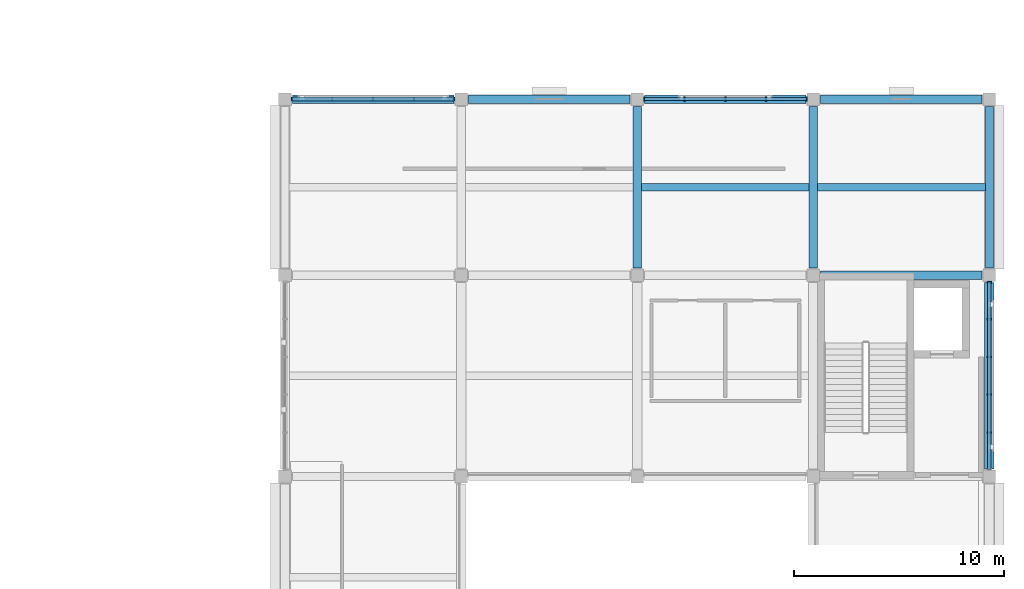
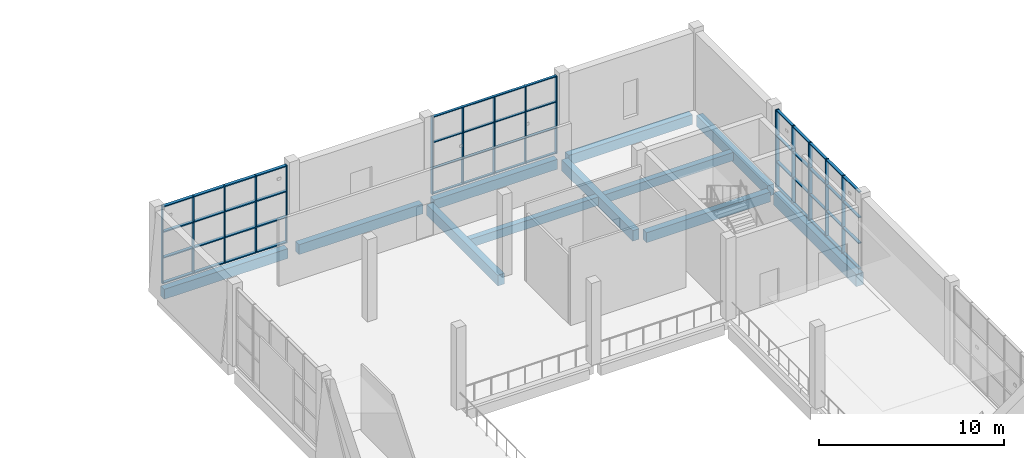
# One storey, part 26 of 57: 27 members, 11 beams, 3 elements without a shape of their own.
"""IFC4 building model written with IfcOpenShell, lengths in metres."""

from ifc_helpers import new_model, si_unit, direction, frame, origin, origin_2d, place, context, subcontext, project, spatial, rectangle, extrude, material, material_profile, profile_set, type_object, element, aggregate, save


model = new_model("IFC4")

# Units and contexts
model_context = context("Model", 3, precision=1e-05, world=origin(), true_north=direction((0.0, 1.0)))
body_context = subcontext(model_context, "Body", "Model", "MODEL_VIEW")
ifc_project = project(units=[si_unit("LENGTHUNIT", "METRE"), si_unit("AREAUNIT", "SQUARE_METRE"), si_unit("VOLUMEUNIT", "CUBIC_METRE"), si_unit("PLANEANGLEUNIT", "RADIAN"), si_unit("MASSUNIT", "GRAM", prefix="KILO")], contexts=[model_context])

# Site, building, storey
site_placement = place(None, origin())
site = spatial("IfcSite", under=ifc_project, at=site_placement, CompositionType="ELEMENT")
building_placement = place(site_placement, origin())
building = spatial("IfcBuilding", under=site, at=building_placement, Name="Shalvenor Court Art Gallery", CompositionType="ELEMENT")
storey_placement = place(building_placement, frame((0.0, 0.0, 16.800048828125)))
storey = spatial("IfcBuildingStorey", under=building, at=storey_placement, Name="L03", CompositionType="ELEMENT", Elevation=16.800048828125)

# Beams
ifc_material_1 = material(Name="Concrete C40/50", Category="concrete")
ifc_material_profile_1 = material_profile(ifc_material_1, rectangle(XDim=0.449951171875, YDim=0.800048828125, at=origin_2d()), Name="RC 450x800")
ifc_profile_set_1 = profile_set([ifc_material_profile_1], Name="Concrete C40/50")
beam_type_1 = type_object("IfcBeamType", Name="B-03", PredefinedType="BEAM", material=ifc_profile_set_1)
beam_1_placement = place(storey_placement, frame((176.39990234375, 79.550048828125, -0.699951171875), z_axis=(0.0, 1.0, 0.0), x_axis=(-1.0, 0.0, 0.0)))
element("IfcBeam", 1, at=beam_1_placement, inside=storey, type_object=beam_type_1, Name="L03 Girder BM-L03-B-03-1038", PredefinedType="BEAM", context=body_context, shape_type="SweptSolid", body=[
    extrude(rectangle(XDim=0.449951171875, YDim=0.800048828125, at=origin_2d()), origin(), (0.0, 0.0, 1.0), 8.89990234375),
])
ifc_material_2 = material(Name="Concrete C40/50", Category="concrete")
ifc_material_profile_2 = material_profile(ifc_material_2, rectangle(XDim=0.39990234375, YDim=0.699951171875, at=origin_2d()), Name="RC 400x700")
ifc_profile_set_2 = profile_set([ifc_material_profile_2], Name="Concrete C40/50")
beam_type_2 = type_object("IfcBeamType", Name="B-05", PredefinedType="BEAM", material=ifc_profile_set_2)
for number, where, z_axis, x_axis, name in (
    (2, (159.60009765625, 89.14990234375, -0.650146484375), (0.0, 1.0, 0.0), (-1.0, 0.0, 0.0), "L03 Girder BM-L03-B-05-1027"),
    (3, (168.0, 89.14990234375, -0.650146484375), (0.0, 1.0, 0.0), (-1.0, 0.0, 0.0), "L03 Girder BM-L03-B-05-1033"),
    (4, (176.39990234375, 89.14990234375, -0.650146484375), (0.0, 1.0, 0.0), (-1.0, 0.0, 0.0), "L03 Girder BM-L03-B-05-1039"),
):
    element("IfcBeam", number, at=place(storey_placement, frame(where, z_axis=z_axis, x_axis=x_axis)), inside=storey, type_object=beam_type_2, Name=name, PredefinedType="BEAM", context=body_context, shape_type="SweptSolid", body=[
        extrude(rectangle(XDim=0.39990234375, YDim=0.699951171875, at=origin_2d()), origin(), (0.0, 0.0, 1.0), 7.7001953125),
    ])
ifc_material_3 = material(Name="Concrete C40/50", Category="concrete")
ifc_material_profile_3 = material_profile(ifc_material_3, rectangle(XDim=0.39990234375, YDim=0.64990234375, at=origin_2d()), Name="RC 400x650")
ifc_profile_set_3 = profile_set([ifc_material_profile_3], Name="Concrete C40/50")
beam_type_3 = type_object("IfcBeamType", Name="B-06", PredefinedType="BEAM", material=ifc_profile_set_3)
beam_2_placement = place(storey_placement, frame((168.35009765625, 88.800048828125, -0.625), z_axis=(1.0, 0.0, 0.0), x_axis=(0.0, 1.0, 0.0)))
element("IfcBeam", 5, at=beam_2_placement, inside=storey, type_object=beam_type_3, Name="L03 Girder BM-L03-B-06-1091", PredefinedType="BEAM", context=body_context, shape_type="SweptSolid", body=[
    extrude(rectangle(XDim=0.39990234375, YDim=0.64990234375, at=origin_2d()), origin(), (0.0, 0.0, 1.0), 7.699951171875),
])
beam_3_placement = place(storey_placement, frame((143.14990234375, 97.199951171875, -0.625), z_axis=(1.0, 0.0, 0.0), x_axis=(0.0, 1.0, 0.0)))
element("IfcBeam", 6, at=beam_3_placement, inside=storey, type_object=beam_type_3, Name="L03 Girder BM-L03-B-06-1100", PredefinedType="BEAM", context=body_context, shape_type="SweptSolid", body=[
    extrude(rectangle(XDim=0.39990234375, YDim=0.64990234375, at=origin_2d()), origin(), (0.0, 0.0, 1.0), 7.7001953125),
])
for number, where, z_axis, x_axis, name in (
    (7, (151.550048828125, 97.199951171875, -0.625), (1.0, 0.0, 0.0), (0.0, 1.0, 0.0), "L03 Girder BM-L03-B-06-1101"),
    (8, (159.949951171875, 97.199951171875, -0.625), (1.0, 0.0, 0.0), (0.0, 1.0, 0.0), "L03 Girder BM-L03-B-06-1102"),
    (9, (168.35009765625, 97.199951171875, -0.625), (1.0, 0.0, 0.0), (0.0, 1.0, 0.0), "L03 Girder BM-L03-B-06-1103"),
):
    element("IfcBeam", number, at=place(storey_placement, frame(where, z_axis=z_axis, x_axis=x_axis)), inside=storey, type_object=beam_type_3, Name=name, PredefinedType="BEAM", context=body_context, shape_type="SweptSolid", body=[
        extrude(rectangle(XDim=0.39990234375, YDim=0.64990234375, at=origin_2d()), origin(), (0.0, 0.0, 1.0), 7.699951171875),
    ])

# Curtain wall, members
ifc_material_4 = material(Name="Anodised aluminium and low-iron glass curtain wall", Category="aluminium")
curtain_wall_type_1 = type_object("IfcCurtainWallType", Name="CW-4x3-78-51-142", PredefinedType="USERDEFINED", material=ifc_material_4)
curtain_wall_1_placement = place(storey_placement, origin())
curtain_wall_1 = element("IfcCurtainWall", 10, at=curtain_wall_1_placement, inside=storey, type_object=curtain_wall_type_1, Name="L03 V1 Curtain Wall CW-L03-020", ObjectType="CURTAIN WALL", PredefinedType="USERDEFINED")
ifc_material_5 = material(Name="Anodised aluminium mullion", Category="aluminium")
ifc_material_profile_4 = material_profile(ifc_material_5, rectangle(XDim=0.06494140625, YDim=0.179931640625, at=origin_2d()), Name="CWM-01")
ifc_profile_set_4 = profile_set([ifc_material_profile_4], Name="Anodised aluminium mullion")
member_type_1 = type_object("IfcMemberType", Name="CWM-01", PredefinedType="MULLION", material=ifc_profile_set_4)
member_1_placement = place(storey_placement, frame((143.132568359375, 97.199951171875, 0.0), z_axis=(0.0, 0.0, 1.0), x_axis=(1.0, 0.0, 0.0)))
member_1 = element("IfcMember", 11, at=member_1_placement, type_object=member_type_1, Name="CW-4x3-78-51-142 mullion 1", PredefinedType="MULLION", context=body_context, shape_type="SweptSolid", body=[
    extrude(rectangle(XDim=0.06494140625, YDim=0.179931640625, at=origin_2d()), origin(), (0.0, 0.0, 1.0), 5.099853515625),
])
member_2_placement = place(storey_placement, frame((145.050048828125, 97.199951171875, 0.0), z_axis=(0.0, 0.0, 1.0), x_axis=(1.0, 0.0, 0.0)))
member_2 = element("IfcMember", 12, at=member_2_placement, type_object=member_type_1, Name="CW-4x3-78-51-142 mullion 2", PredefinedType="MULLION", context=body_context, shape_type="SweptSolid", body=[
    extrude(rectangle(XDim=0.06494140625, YDim=0.179931640625, at=origin_2d()), origin(), (0.0, 0.0, 1.0), 5.099853515625),
])
member_3_placement = place(storey_placement, frame((147.0, 97.199951171875, 0.0), z_axis=(0.0, 0.0, 1.0), x_axis=(1.0, 0.0, 0.0)))
member_3 = element("IfcMember", 13, at=member_3_placement, type_object=member_type_1, Name="CW-4x3-78-51-142 mullion 3", PredefinedType="MULLION", context=body_context, shape_type="SweptSolid", body=[
    extrude(rectangle(XDim=0.06494140625, YDim=0.179931640625, at=origin_2d()), origin(), (0.0, 0.0, 1.0), 5.099853515625),
])
member_4_placement = place(storey_placement, frame((148.949951171875, 97.199951171875, 0.0), z_axis=(0.0, 0.0, 1.0), x_axis=(1.0, 0.0, 0.0)))
member_4 = element("IfcMember", 14, at=member_4_placement, type_object=member_type_1, Name="CW-4x3-78-51-142 mullion 4", PredefinedType="MULLION", context=body_context, shape_type="SweptSolid", body=[
    extrude(rectangle(XDim=0.06494140625, YDim=0.179931640625, at=origin_2d()), origin(), (0.0, 0.0, 1.0), 5.099853515625),
])
member_5_placement = place(storey_placement, frame((150.867431640625, 97.199951171875, 0.0), z_axis=(0.0, 0.0, 1.0), x_axis=(1.0, 0.0, 0.0)))
member_5 = element("IfcMember", 15, at=member_5_placement, type_object=member_type_1, Name="CW-4x3-78-51-142 mullion 5", PredefinedType="MULLION", context=body_context, shape_type="SweptSolid", body=[
    extrude(rectangle(XDim=0.06494140625, YDim=0.179931640625, at=origin_2d()), origin(), (0.0, 0.0, 1.0), 5.099853515625),
])

ifc_material_6 = material(Name="Anodised aluminium and low-iron glass curtain wall", Category="aluminium")
curtain_wall_type_2 = type_object("IfcCurtainWallType", Name="CW-4x3-78-51-212", PredefinedType="USERDEFINED", material=ifc_material_6)
curtain_wall_2_placement = place(storey_placement, origin())
curtain_wall_2 = element("IfcCurtainWall", 16, at=curtain_wall_2_placement, inside=storey, type_object=curtain_wall_type_2, Name="L03 V1 Curtain Wall CW-L03-021", ObjectType="CURTAIN WALL", PredefinedType="USERDEFINED")
ifc_material_7 = material(Name="Anodised aluminium mullion", Category="aluminium")
ifc_material_profile_5 = material_profile(ifc_material_7, rectangle(XDim=0.070068359375, YDim=0.199951171875, at=origin_2d()), Name="CWM-02")
ifc_profile_set_5 = profile_set([ifc_material_profile_5], Name="Anodised aluminium mullion")
member_type_2 = type_object("IfcMemberType", Name="CWM-02", PredefinedType="MULLION", material=ifc_profile_set_5)
member_6_placement = place(storey_placement, frame((159.93505859375, 97.199951171875, 0.0), z_axis=(0.0, 0.0, 1.0), x_axis=(1.0, 0.0, 0.0)))
member_6 = element("IfcMember", 17, at=member_6_placement, type_object=member_type_2, Name="CW-4x3-78-51-212 mullion 1", PredefinedType="MULLION", context=body_context, shape_type="SweptSolid", body=[
    extrude(rectangle(XDim=0.070068359375, YDim=0.199951171875, at=origin_2d()), origin(), (0.0, 0.0, 1.0), 5.099853515625),
])
member_7_placement = place(storey_placement, frame((161.85009765625, 97.199951171875, 0.0), z_axis=(0.0, 0.0, 1.0), x_axis=(1.0, 0.0, 0.0)))
member_7 = element("IfcMember", 18, at=member_7_placement, type_object=member_type_2, Name="CW-4x3-78-51-212 mullion 2", PredefinedType="MULLION", context=body_context, shape_type="SweptSolid", body=[
    extrude(rectangle(XDim=0.070068359375, YDim=0.199951171875, at=origin_2d()), origin(), (0.0, 0.0, 1.0), 5.099853515625),
])
member_8_placement = place(storey_placement, frame((163.800048828125, 97.199951171875, 0.0), z_axis=(0.0, 0.0, 1.0), x_axis=(1.0, 0.0, 0.0)))
member_8 = element("IfcMember", 19, at=member_8_placement, type_object=member_type_2, Name="CW-4x3-78-51-212 mullion 3", PredefinedType="MULLION", context=body_context, shape_type="SweptSolid", body=[
    extrude(rectangle(XDim=0.070068359375, YDim=0.199951171875, at=origin_2d()), origin(), (0.0, 0.0, 1.0), 5.099853515625),
])
member_9_placement = place(storey_placement, frame((165.75, 97.199951171875, 0.0), z_axis=(0.0, 0.0, 1.0), x_axis=(1.0, 0.0, 0.0)))
member_9 = element("IfcMember", 20, at=member_9_placement, type_object=member_type_2, Name="CW-4x3-78-51-212 mullion 4", PredefinedType="MULLION", context=body_context, shape_type="SweptSolid", body=[
    extrude(rectangle(XDim=0.070068359375, YDim=0.199951171875, at=origin_2d()), origin(), (0.0, 0.0, 1.0), 5.099853515625),
])
member_10_placement = place(storey_placement, frame((167.6650390625, 97.199951171875, 0.0), z_axis=(0.0, 0.0, 1.0), x_axis=(1.0, 0.0, 0.0)))
member_10 = element("IfcMember", 21, at=member_10_placement, type_object=member_type_2, Name="CW-4x3-78-51-212 mullion 5", PredefinedType="MULLION", context=body_context, shape_type="SweptSolid", body=[
    extrude(rectangle(XDim=0.070068359375, YDim=0.199951171875, at=origin_2d()), origin(), (0.0, 0.0, 1.0), 5.099853515625),
])

ifc_material_8 = material(Name="Anodised aluminium and low-iron glass curtain wall", Category="aluminium")
curtain_wall_type_3 = type_object("IfcCurtainWallType", Name="CW-5x3-90-51-422", PredefinedType="USERDEFINED", material=ifc_material_8)
curtain_wall_3_placement = place(storey_placement, origin())
curtain_wall_3 = element("IfcCurtainWall", 22, at=curtain_wall_3_placement, inside=storey, type_object=curtain_wall_type_3, Name="L03 V1 Curtain Wall CW-L03-022", ObjectType="CURTAIN WALL", PredefinedType="USERDEFINED")
ifc_material_9 = material(Name="Anodised aluminium mullion", Category="aluminium")
ifc_material_profile_6 = material_profile(ifc_material_9, rectangle(XDim=0.074951171875, YDim=0.219970703125, at=origin_2d()), Name="CWM-04")
ifc_profile_set_6 = profile_set([ifc_material_profile_6], Name="Anodised aluminium mullion")
member_type_3 = type_object("IfcMemberType", Name="CWM-04", PredefinedType="MULLION", material=ifc_profile_set_6)
member_11_placement = place(storey_placement, frame((176.39990234375, 88.46240234375, 0.0), z_axis=(0.0, 0.0, 1.0), x_axis=(0.0, -1.0, 0.0)))
member_11 = element("IfcMember", 23, at=member_11_placement, type_object=member_type_3, Name="CW-5x3-90-51-422 mullion 1", PredefinedType="MULLION", context=body_context, shape_type="SweptSolid", body=[
    extrude(rectangle(XDim=0.074951171875, YDim=0.219970703125, at=origin_2d()), origin(), (0.0, 0.0, 1.0), 5.099853515625),
])
member_12_placement = place(storey_placement, frame((176.39990234375, 86.699951171875, 0.0), z_axis=(0.0, 0.0, 1.0), x_axis=(0.0, -1.0, 0.0)))
member_12 = element("IfcMember", 24, at=member_12_placement, type_object=member_type_3, Name="CW-5x3-90-51-422 mullion 2", PredefinedType="MULLION", context=body_context, shape_type="SweptSolid", body=[
    extrude(rectangle(XDim=0.074951171875, YDim=0.219970703125, at=origin_2d()), origin(), (0.0, 0.0, 1.0), 5.099853515625),
])
member_13_placement = place(storey_placement, frame((176.39990234375, 84.89990234375, 0.0), z_axis=(0.0, 0.0, 1.0), x_axis=(0.0, -1.0, 0.0)))
member_13 = element("IfcMember", 25, at=member_13_placement, type_object=member_type_3, Name="CW-5x3-90-51-422 mullion 3", PredefinedType="MULLION", context=body_context, shape_type="SweptSolid", body=[
    extrude(rectangle(XDim=0.074951171875, YDim=0.219970703125, at=origin_2d()), origin(), (0.0, 0.0, 1.0), 5.099853515625),
])
member_14_placement = place(storey_placement, frame((176.39990234375, 83.10009765625, 0.0), z_axis=(0.0, 0.0, 1.0), x_axis=(0.0, -1.0, 0.0)))
member_14 = element("IfcMember", 26, at=member_14_placement, type_object=member_type_3, Name="CW-5x3-90-51-422 mullion 4", PredefinedType="MULLION", context=body_context, shape_type="SweptSolid", body=[
    extrude(rectangle(XDim=0.074951171875, YDim=0.219970703125, at=origin_2d()), origin(), (0.0, 0.0, 1.0), 5.099853515625),
])
member_15_placement = place(storey_placement, frame((176.39990234375, 81.300048828125, 0.0), z_axis=(0.0, 0.0, 1.0), x_axis=(0.0, -1.0, 0.0)))
member_15 = element("IfcMember", 27, at=member_15_placement, type_object=member_type_3, Name="CW-5x3-90-51-422 mullion 5", PredefinedType="MULLION", context=body_context, shape_type="SweptSolid", body=[
    extrude(rectangle(XDim=0.074951171875, YDim=0.219970703125, at=origin_2d()), origin(), (0.0, 0.0, 1.0), 5.099853515625),
])

# Member
ifc_material_10 = material(Name="Anodised aluminium transom", Category="aluminium")
ifc_material_profile_7 = material_profile(ifc_material_10, rectangle(XDim=0.14990234375, YDim=0.06005859375, at=origin_2d()), Name="CWT-01")
ifc_profile_set_7 = profile_set([ifc_material_profile_7], Name="Anodised aluminium transom")
member_type_4 = type_object("IfcMemberType", Name="CWT-01", PredefinedType="USERDEFINED", material=ifc_profile_set_7)
member_16_placement = place(storey_placement, frame((159.93505859375, 97.199951171875, 0.030029296875), z_axis=(1.0, 0.0, 0.0), x_axis=(0.0, 1.0, 0.0)))
member_16 = element("IfcMember", 28, at=member_16_placement, type_object=member_type_4, Name="CW-4x3-78-51-212 transom 1", ObjectType="TRANSOM", PredefinedType="USERDEFINED", context=body_context, shape_type="SweptSolid", body=[
    extrude(rectangle(XDim=0.14990234375, YDim=0.06005859375, at=origin_2d()), origin(), (0.0, 0.0, 1.0), 7.72998046875),
])

member_17_placement = place(storey_placement, frame((159.93505859375, 97.199951171875, 1.699951171875), z_axis=(1.0, 0.0, 0.0), x_axis=(0.0, 1.0, 0.0)))
member_17 = element("IfcMember", 29, at=member_17_placement, type_object=member_type_4, Name="CW-4x3-78-51-212 transom 2", ObjectType="TRANSOM", PredefinedType="USERDEFINED", context=body_context, shape_type="SweptSolid", body=[
    extrude(rectangle(XDim=0.14990234375, YDim=0.06005859375, at=origin_2d()), origin(), (0.0, 0.0, 1.0), 7.72998046875),
])

member_18_placement = place(storey_placement, frame((159.93505859375, 97.199951171875, 3.39990234375), z_axis=(1.0, 0.0, 0.0), x_axis=(0.0, 1.0, 0.0)))
member_18 = element("IfcMember", 30, at=member_18_placement, type_object=member_type_4, Name="CW-4x3-78-51-212 transom 3", ObjectType="TRANSOM", PredefinedType="USERDEFINED", context=body_context, shape_type="SweptSolid", body=[
    extrude(rectangle(XDim=0.14990234375, YDim=0.06005859375, at=origin_2d()), origin(), (0.0, 0.0, 1.0), 7.72998046875),
])

member_19_placement = place(storey_placement, frame((159.93505859375, 97.199951171875, 5.070068359375), z_axis=(1.0, 0.0, 0.0), x_axis=(0.0, 1.0, 0.0)))
member_19 = element("IfcMember", 31, at=member_19_placement, type_object=member_type_4, Name="CW-4x3-78-51-212 transom 4", ObjectType="TRANSOM", PredefinedType="USERDEFINED", context=body_context, shape_type="SweptSolid", body=[
    extrude(rectangle(XDim=0.14990234375, YDim=0.06005859375, at=origin_2d()), origin(), (0.0, 0.0, 1.0), 7.72998046875),
])

aggregate(curtain_wall_2, [member_6, member_7, member_8, member_9, member_10, member_16, member_17, member_18, member_19])

ifc_material_11 = material(Name="Anodised aluminium transom", Category="aluminium")
ifc_material_profile_8 = material_profile(ifc_material_11, rectangle(XDim=0.169921875, YDim=0.06494140625, at=origin_2d()), Name="CWT-02")
ifc_profile_set_8 = profile_set([ifc_material_profile_8], Name="Anodised aluminium transom")
member_type_5 = type_object("IfcMemberType", Name="CWT-02", PredefinedType="USERDEFINED", material=ifc_profile_set_8)
member_20_placement = place(storey_placement, frame((176.39990234375, 88.46240234375, 0.032470703125), z_axis=(0.0, -1.0, 0.0), x_axis=(1.0, 0.0, 0.0)))
member_20 = element("IfcMember", 32, at=member_20_placement, type_object=member_type_5, Name="CW-5x3-90-51-422 transom 1", ObjectType="TRANSOM", PredefinedType="USERDEFINED", context=body_context, shape_type="SweptSolid", body=[
    extrude(rectangle(XDim=0.169921875, YDim=0.06494140625, at=origin_2d()), origin(), (0.0, 0.0, 1.0), 8.9248046875),
])

member_21_placement = place(storey_placement, frame((176.39990234375, 88.46240234375, 1.699951171875), z_axis=(0.0, -1.0, 0.0), x_axis=(1.0, 0.0, 0.0)))
member_21 = element("IfcMember", 33, at=member_21_placement, type_object=member_type_5, Name="CW-5x3-90-51-422 transom 2", ObjectType="TRANSOM", PredefinedType="USERDEFINED", context=body_context, shape_type="SweptSolid", body=[
    extrude(rectangle(XDim=0.169921875, YDim=0.06494140625, at=origin_2d()), origin(), (0.0, 0.0, 1.0), 8.9248046875),
])

member_22_placement = place(storey_placement, frame((176.39990234375, 88.46240234375, 3.39990234375), z_axis=(0.0, -1.0, 0.0), x_axis=(1.0, 0.0, 0.0)))
member_22 = element("IfcMember", 34, at=member_22_placement, type_object=member_type_5, Name="CW-5x3-90-51-422 transom 3", ObjectType="TRANSOM", PredefinedType="USERDEFINED", context=body_context, shape_type="SweptSolid", body=[
    extrude(rectangle(XDim=0.169921875, YDim=0.06494140625, at=origin_2d()), origin(), (0.0, 0.0, 1.0), 8.9248046875),
])

member_23_placement = place(storey_placement, frame((176.39990234375, 88.46240234375, 5.0673828125), z_axis=(0.0, -1.0, 0.0), x_axis=(1.0, 0.0, 0.0)))
member_23 = element("IfcMember", 35, at=member_23_placement, type_object=member_type_5, Name="CW-5x3-90-51-422 transom 4", ObjectType="TRANSOM", PredefinedType="USERDEFINED", context=body_context, shape_type="SweptSolid", body=[
    extrude(rectangle(XDim=0.169921875, YDim=0.06494140625, at=origin_2d()), origin(), (0.0, 0.0, 1.0), 8.9248046875),
])

aggregate(curtain_wall_3, [member_11, member_12, member_13, member_14, member_15, member_20, member_21, member_22, member_23])

ifc_material_12 = material(Name="Anodised aluminium transom", Category="aluminium")
ifc_material_profile_9 = material_profile(ifc_material_12, rectangle(XDim=0.18994140625, YDim=0.070068359375, at=origin_2d()), Name="CWT-04")
ifc_profile_set_9 = profile_set([ifc_material_profile_9], Name="Anodised aluminium transom")
member_type_6 = type_object("IfcMemberType", Name="CWT-04", PredefinedType="USERDEFINED", material=ifc_profile_set_9)
member_24_placement = place(storey_placement, frame((143.132568359375, 97.199951171875, 0.034912109375), z_axis=(1.0, 0.0, 0.0), x_axis=(0.0, 1.0, 0.0)))
member_24 = element("IfcMember", 36, at=member_24_placement, type_object=member_type_6, Name="CW-4x3-78-51-142 transom 1", ObjectType="TRANSOM", PredefinedType="USERDEFINED", context=body_context, shape_type="SweptSolid", body=[
    extrude(rectangle(XDim=0.18994140625, YDim=0.070068359375, at=origin_2d()), origin(), (0.0, 0.0, 1.0), 7.73486328125),
])

member_25_placement = place(storey_placement, frame((143.132568359375, 97.199951171875, 1.699951171875), z_axis=(1.0, 0.0, 0.0), x_axis=(0.0, 1.0, 0.0)))
member_25 = element("IfcMember", 37, at=member_25_placement, type_object=member_type_6, Name="CW-4x3-78-51-142 transom 2", ObjectType="TRANSOM", PredefinedType="USERDEFINED", context=body_context, shape_type="SweptSolid", body=[
    extrude(rectangle(XDim=0.18994140625, YDim=0.070068359375, at=origin_2d()), origin(), (0.0, 0.0, 1.0), 7.73486328125),
])

member_26_placement = place(storey_placement, frame((143.132568359375, 97.199951171875, 3.39990234375), z_axis=(1.0, 0.0, 0.0), x_axis=(0.0, 1.0, 0.0)))
member_26 = element("IfcMember", 38, at=member_26_placement, type_object=member_type_6, Name="CW-4x3-78-51-142 transom 3", ObjectType="TRANSOM", PredefinedType="USERDEFINED", context=body_context, shape_type="SweptSolid", body=[
    extrude(rectangle(XDim=0.18994140625, YDim=0.070068359375, at=origin_2d()), origin(), (0.0, 0.0, 1.0), 7.73486328125),
])

member_27_placement = place(storey_placement, frame((143.132568359375, 97.199951171875, 5.06494140625), z_axis=(1.0, 0.0, 0.0), x_axis=(0.0, 1.0, 0.0)))
member_27 = element("IfcMember", 39, at=member_27_placement, type_object=member_type_6, Name="CW-4x3-78-51-142 transom 4", ObjectType="TRANSOM", PredefinedType="USERDEFINED", context=body_context, shape_type="SweptSolid", body=[
    extrude(rectangle(XDim=0.18994140625, YDim=0.070068359375, at=origin_2d()), origin(), (0.0, 0.0, 1.0), 7.73486328125),
])

aggregate(curtain_wall_1, [member_1, member_2, member_3, member_4, member_5, member_24, member_25, member_26, member_27])

# Beams
ifc_material_13 = material(Name="Concrete C40/50", Category="concrete")
ifc_material_profile_10 = material_profile(ifc_material_13, rectangle(XDim=0.35009765625, YDim=0.550048828125, at=origin_2d()), Name="RC 350x550")
ifc_profile_set_10 = profile_set([ifc_material_profile_10], Name="Concrete C40/50")
beam_type_4 = type_object("IfcBeamType", Name="J-02", PredefinedType="JOIST", material=ifc_profile_set_10)
for number, where, z_axis, x_axis, name in (
    (40, (159.800048828125, 93.0, -0.574951171875), (1.0, 0.0, 0.0), (0.0, 1.0, 0.0), "L03 Secondary Beam JST-L03-J-02-1163"),
    (41, (168.199951171875, 93.0, -0.574951171875), (1.0, 0.0, 0.0), (0.0, 1.0, 0.0), "L03 Secondary Beam JST-L03-J-02-1167"),
):
    element("IfcBeam", number, at=place(storey_placement, frame(where, z_axis=z_axis, x_axis=x_axis)), inside=storey, type_object=beam_type_4, Name=name, PredefinedType="JOIST", context=body_context, shape_type="SweptSolid", body=[
        extrude(rectangle(XDim=0.35009765625, YDim=0.550048828125, at=origin_2d()), origin(), (0.0, 0.0, 1.0), 8.0),
    ])

save(model, "model.ifc")
